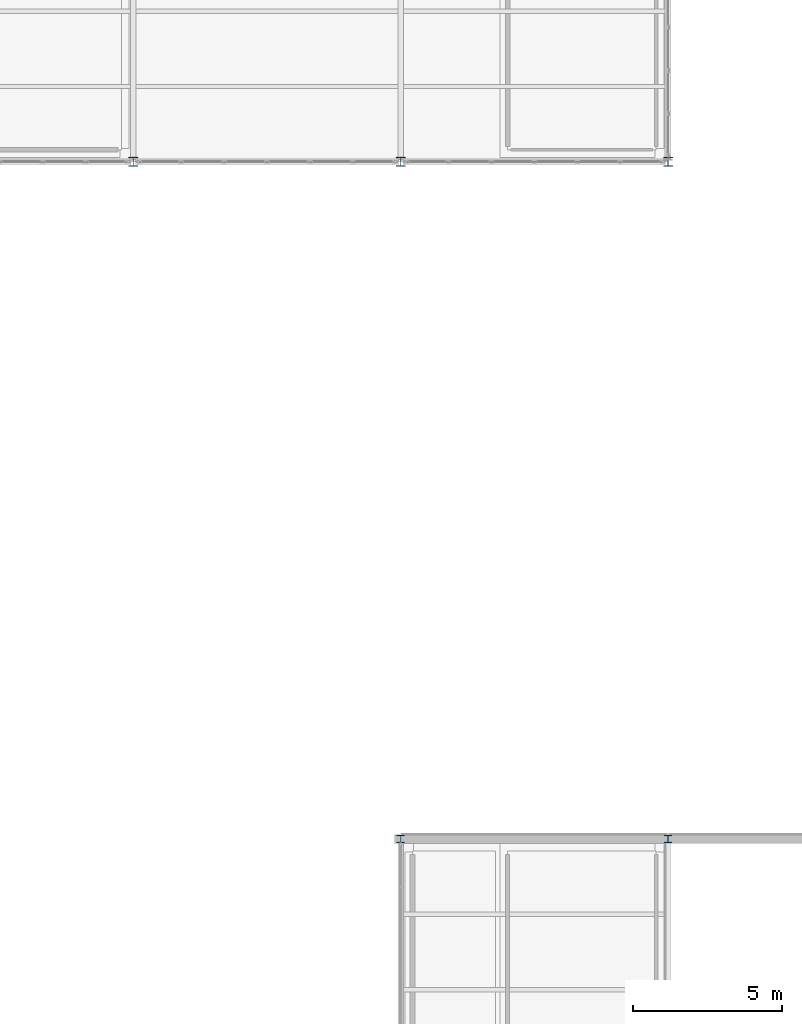
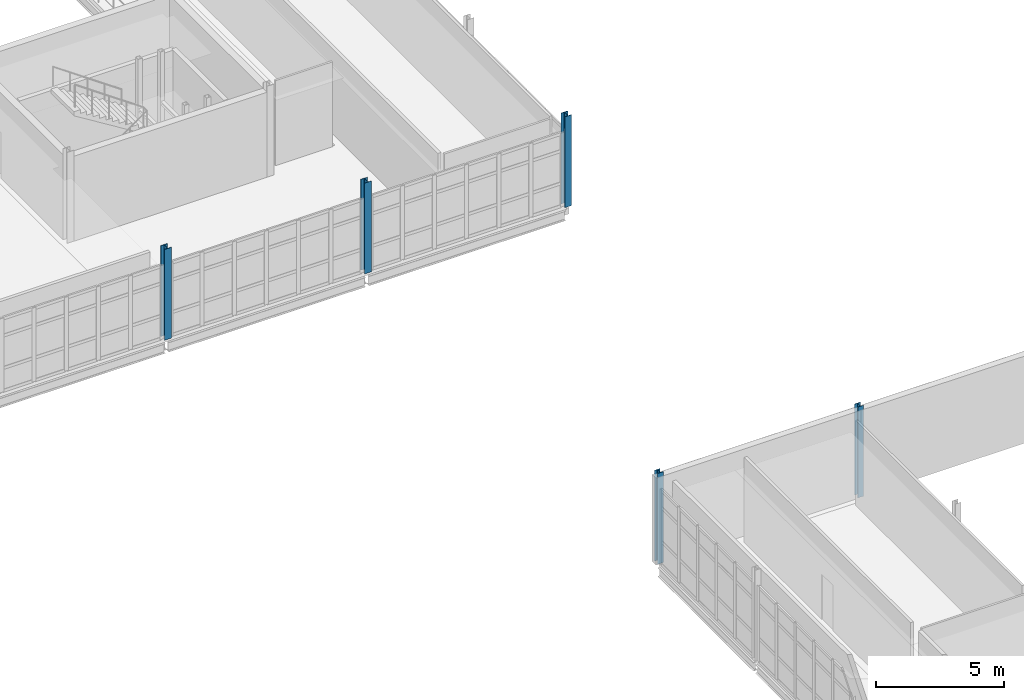
# One storey, part 21 of 166: 5 columns.
"""IFC4 building model written with IfcOpenShell, lengths in metres."""

from ifc_helpers import new_model, si_unit, direction, frame, origin, origin_2d, place, context, subcontext, project, spatial, i_section, extrude, material, material_profile, profile_set, type_object, element, save


model = new_model("IFC4")

# Units and contexts
model_context = context("Model", 3, precision=1e-05, world=origin(), true_north=direction((0.0, 1.0)))
body_context = subcontext(model_context, "Body", "Model", "MODEL_VIEW")
ifc_project = project(units=[si_unit("LENGTHUNIT", "METRE"), si_unit("AREAUNIT", "SQUARE_METRE"), si_unit("VOLUMEUNIT", "CUBIC_METRE"), si_unit("PLANEANGLEUNIT", "RADIAN"), si_unit("MASSUNIT", "GRAM", prefix="KILO")], contexts=[model_context])

# Site, building, storey
site_placement = place(None, origin())
site = spatial("IfcSite", under=ifc_project, at=site_placement, CompositionType="ELEMENT")
building_placement = place(site_placement, origin())
building = spatial("IfcBuilding", under=site, at=building_placement, Name="Caisbarro Railhouse Central Library", CompositionType="ELEMENT")
storey_placement = place(building_placement, frame((0.0, 0.0, 9.360107421875)))
storey = spatial("IfcBuildingStorey", under=building, at=storey_placement, Name="L02", CompositionType="ELEMENT", Elevation=9.360107421875)

# Columns
ifc_material = material(Name="Steel ASTM A572 Grade 50", Category="steel")
ifc_material_profile_1 = material_profile(ifc_material, i_section(OverallWidth=0.305908203125, OverallDepth=0.31103515625, WebThickness=0.010986328125, FlangeThickness=0.01708984375, FilletRadius=0.014892578125, at=origin_2d()), Name="W310X107.0")
ifc_profile_set_1 = profile_set([ifc_material_profile_1], Name="Steel ASTM A572 Grade 50")
column_type_1 = type_object("IfcColumnType", Name="COL-C06", PredefinedType="COLUMN", material=ifc_profile_set_1)
for number, where, z_axis, x_axis, name in (
    (1, (135.0, 60.800048828125, 0.0), (0.0, 0.0, 1.0), (1.0, 0.0, 0.0), "C06 column L02 (135.0,60.8)"),
    (2, (144.0, 60.800048828125, 0.0), (0.0, 0.0, 1.0), (1.0, 0.0, 0.0), "C06 column L02 (144.0,60.8)"),
    (3, (153.0, 60.800048828125, 0.0), (0.0, 0.0, 1.0), (1.0, 0.0, 0.0), "C06 column L02 (153.0,60.8)"),
):
    element("IfcColumn", number, at=place(storey_placement, frame(where, z_axis=z_axis, x_axis=x_axis)), inside=storey, type_object=column_type_1, Name=name, PredefinedType="COLUMN", context=body_context, shape_type="SweptSolid", body=[
        extrude(i_section(OverallWidth=0.305908203125, OverallDepth=0.31103515625, WebThickness=0.010986328125, FlangeThickness=0.01708984375, FilletRadius=0.014892578125, at=origin_2d()), origin(), (0.0, 0.0, 1.0), 4.31982421875),
    ])
ifc_material_profile_2 = material_profile(ifc_material, i_section(OverallWidth=0.25390625, OverallDepth=0.2529296875, WebThickness=0.008544921875, FlangeThickness=0.01416015625, FilletRadius=0.011962890625, at=origin_2d()), Name="W250X73.0")
ifc_profile_set_2 = profile_set([ifc_material_profile_2], Name="Steel ASTM A572 Grade 50")
column_type_2 = type_object("IfcColumnType", Name="COL-C08", PredefinedType="COLUMN", material=ifc_profile_set_2)
for number, where, z_axis, x_axis, name in (
    (4, (144.0, 38.0, 0.0), (0.0, 0.0, 1.0), (1.0, 0.0, 0.0), "C08 column L02 (144.0,38.0)"),
    (5, (153.0, 38.0, 0.0), (0.0, 0.0, 1.0), (1.0, 0.0, 0.0), "C08 column L02 (153.0,38.0)"),
):
    element("IfcColumn", number, at=place(storey_placement, frame(where, z_axis=z_axis, x_axis=x_axis)), inside=storey, type_object=column_type_2, Name=name, PredefinedType="COLUMN", context=body_context, shape_type="SweptSolid", body=[
        extrude(i_section(OverallWidth=0.25390625, OverallDepth=0.2529296875, WebThickness=0.008544921875, FlangeThickness=0.01416015625, FilletRadius=0.011962890625, at=origin_2d()), origin(), (0.0, 0.0, 1.0), 4.31982421875),
    ])

save(model, "model.ifc")
